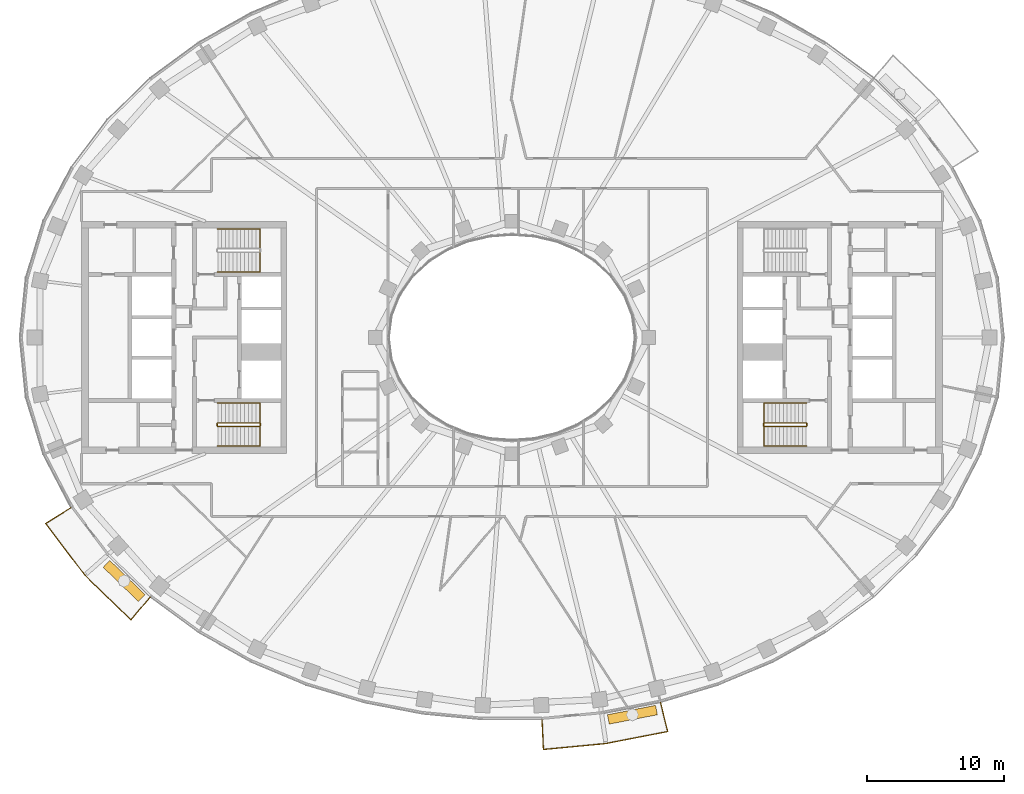
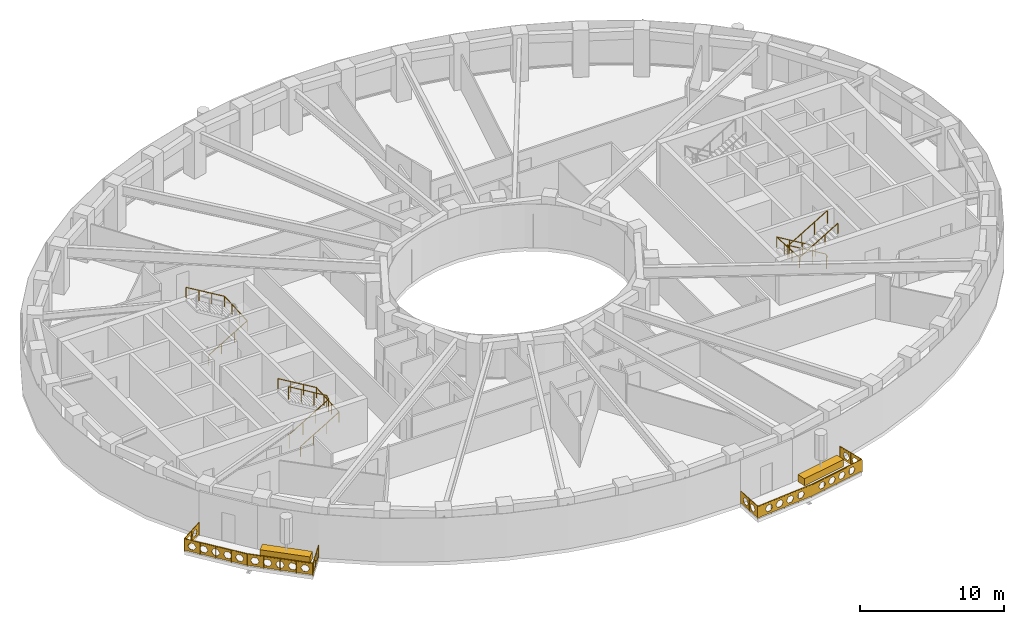
# One storey, part 14 of 16: 7 railings, 2 coverings.
"""IFC4 building model written with IfcOpenShell, lengths in metres."""

from ifc_helpers import new_model, si_unit, direction, frame, origin, origin_2d, place, context, subcontext, project, spatial, polyline, rectangle, outline, extrude, material, type_object, element, save


model = new_model("IFC4")

# Units and contexts
model_context = context("Model", 3, precision=1e-05, world=origin(), true_north=direction((0.0, 1.0)))
body_context = subcontext(model_context, "Body", "Model", "MODEL_VIEW")
ifc_project = project(units=[si_unit("LENGTHUNIT", "METRE"), si_unit("AREAUNIT", "SQUARE_METRE"), si_unit("VOLUMEUNIT", "CUBIC_METRE"), si_unit("PLANEANGLEUNIT", "RADIAN"), si_unit("MASSUNIT", "GRAM", prefix="KILO")], contexts=[model_context])

# Site, building, storey
site_placement = place(None, origin())
site = spatial("IfcSite", under=ifc_project, at=site_placement, CompositionType="ELEMENT")
building_placement = place(site_placement, origin())
building = spatial("IfcBuilding", under=site, at=building_placement, Name="Noorbagh Ring Tower", CompositionType="ELEMENT")
storey_placement = place(building_placement, frame((0.0, 0.0, 257.5)))
storey = spatial("IfcBuildingStorey", under=building, at=storey_placement, Name="L54", CompositionType="ELEMENT", Elevation=257.5)

# Railings
ifc_material_1 = material(Name="Stainless steel", Category="steel")
railing_type_1 = type_object("IfcRailingType", Name="CORE-STAIR-GUARD", PredefinedType="GUARDRAIL", material=ifc_material_1)
railing_1_placement = place(storey_placement, frame((-21.580078125, -6.449951171875, 0.0)))
element("IfcRailing", 1, at=railing_1_placement, inside=storey, type_object=railing_type_1, Name="L54 ST2 stair guard", PredefinedType="GUARDRAIL", context=body_context, shape_type="SweptSolid", body=[
    extrude(rectangle(XDim=0.048095703125, YDim=0.048095703125, at=origin_2d()), frame((0.0, 0.0, 1.076171875), z_axis=(0.0, 1.0, 0.0), x_axis=(-1.0, 0.0, 0.0)), (0.0, 0.0, 1.0), 0.14990234375),
    extrude(rectangle(XDim=0.048095703125, YDim=0.048095703125, at=origin_2d()), frame((0.0, 0.14990234375, 1.076171875), z_axis=(0.188775798145, -0.754182335027, 0.628945707965), x_axis=(0.970072785993, 0.242814311512, 0.0)), (0.0, 0.0, 1.0), 0.26513671875),
    extrude(rectangle(XDim=0.048095703125, YDim=0.048095703125, at=origin_2d()), frame((0.050048828125, -0.050048828125, 1.24267578125), z_axis=(0.859308565015, 0.0, 0.511457515432), x_axis=(0.0, 1.0, 0.0)), (0.0, 0.0, 1.0), 3.58447265625),
    extrude(rectangle(XDim=0.048095703125, YDim=0.048095703125, at=origin_2d()), frame((3.130126953125, -0.050048828125, 3.076171875), z_axis=(0.707106781187, 0.707106781187, 0.0), x_axis=(-0.707106781187, 0.707106781187, 0.0)), (0.0, 0.0, 1.0), 0.07080078125),
    extrude(rectangle(XDim=0.048095703125, YDim=0.048095703125, at=origin_2d()), frame((3.18017578125, 0.0, 3.076171875), z_axis=(0.0, 1.0, 0.0), x_axis=(-1.0, 0.0, 0.0)), (0.0, 0.0, 1.0), 0.14990234375),
    extrude(rectangle(XDim=0.048095703125, YDim=0.048095703125, at=origin_2d()), frame((3.18017578125, 0.14990234375, 3.076171875), z_axis=(-0.27628659633, 0.27628659633, 0.920506074601), x_axis=(-0.707106781187, -0.707106781187, 0.0)), (0.0, 0.0, 1.0), 0.18115234375),
    extrude(rectangle(XDim=0.048095703125, YDim=0.048095703125, at=origin_2d()), frame((3.130126953125, 0.199951171875, 3.24267578125), z_axis=(-0.859308565015, 0.0, 0.511457515432), x_axis=(0.0, -1.0, 0.0)), (0.0, 0.0, 1.0), 3.58447265625),
    extrude(rectangle(XDim=0.0419921875, YDim=0.0419921875, at=origin_2d()), origin(), (0.0, 0.0, 1.0), 1.052001953125),
    extrude(rectangle(XDim=0.0419921875, YDim=0.0419921875, at=origin_2d()), frame((1.07666015625, -0.050048828125, 0.77783203125)), (0.0, 0.0, 1.0), 1.052001953125),
    extrude(rectangle(XDim=0.0419921875, YDim=0.0419921875, at=origin_2d()), frame((2.103515625, -0.050048828125, 1.388916015625)), (0.0, 0.0, 1.0), 1.052001953125),
    extrude(rectangle(XDim=0.0419921875, YDim=0.0419921875, at=origin_2d()), frame((3.130126953125, -0.050048828125, 2.0)), (0.0, 0.0, 1.0), 1.052001953125),
    extrude(rectangle(XDim=0.0419921875, YDim=0.0419921875, at=origin_2d()), frame((3.130126953125, 0.199951171875, 2.166748046875)), (0.0, 0.0, 1.0), 1.052001953125),
    extrude(rectangle(XDim=0.0419921875, YDim=0.0419921875, at=origin_2d()), frame((2.103515625, 0.199951171875, 2.77783203125)), (0.0, 0.0, 1.0), 1.052001953125),
    extrude(rectangle(XDim=0.0419921875, YDim=0.0419921875, at=origin_2d()), frame((1.07666015625, 0.199951171875, 3.388916015625)), (0.0, 0.0, 1.0), 1.052001953125),
    extrude(rectangle(XDim=0.0419921875, YDim=0.0419921875, at=origin_2d()), frame((0.050048828125, 0.199951171875, 4.0)), (0.0, 0.0, 1.0), 1.052001953125),
])
railing_2_placement = place(storey_placement, frame((21.580078125, -6.300048828125, 0.0)))
element("IfcRailing", 2, at=railing_2_placement, inside=storey, type_object=railing_type_1, Name="L54 ST4 stair guard", PredefinedType="GUARDRAIL", context=body_context, shape_type="SweptSolid", body=[
    extrude(rectangle(XDim=0.048095703125, YDim=0.048095703125, at=origin_2d()), frame((0.0, 0.0, 1.076171875), z_axis=(0.0, -1.0, 0.0), x_axis=(1.0, 0.0, 0.0)), (0.0, 0.0, 1.0), 0.14990234375),
    extrude(rectangle(XDim=0.048095703125, YDim=0.048095703125, at=origin_2d()), frame((0.0, -0.14990234375, 1.076171875), z_axis=(-0.188775798145, 0.754182335027, 0.628945707965), x_axis=(-0.970072785993, -0.242814311512, 0.0)), (0.0, 0.0, 1.0), 0.26513671875),
    extrude(rectangle(XDim=0.048095703125, YDim=0.048095703125, at=origin_2d()), frame((-0.050048828125, 0.050048828125, 1.24267578125), z_axis=(-0.859308565015, 0.0, 0.511457515432), x_axis=(0.0, -1.0, 0.0)), (0.0, 0.0, 1.0), 3.58447265625),
    extrude(rectangle(XDim=0.048095703125, YDim=0.048095703125, at=origin_2d()), frame((-3.130126953125, 0.050048828125, 3.076171875), z_axis=(-0.707106781187, -0.707106781187, 0.0), x_axis=(0.707106781187, -0.707106781187, 0.0)), (0.0, 0.0, 1.0), 0.07080078125),
    extrude(rectangle(XDim=0.048095703125, YDim=0.048095703125, at=origin_2d()), frame((-3.18017578125, 0.0, 3.076171875), z_axis=(0.0, -1.0, 0.0), x_axis=(1.0, 0.0, 0.0)), (0.0, 0.0, 1.0), 0.14990234375),
    extrude(rectangle(XDim=0.048095703125, YDim=0.048095703125, at=origin_2d()), frame((-3.18017578125, -0.14990234375, 3.076171875), z_axis=(0.27628659633, -0.27628659633, 0.920506074601), x_axis=(0.707106781187, 0.707106781187, 0.0)), (0.0, 0.0, 1.0), 0.18115234375),
    extrude(rectangle(XDim=0.048095703125, YDim=0.048095703125, at=origin_2d()), frame((-3.130126953125, -0.199951171875, 3.24267578125), z_axis=(0.859308565015, 0.0, 0.511457515432), x_axis=(0.0, 1.0, 0.0)), (0.0, 0.0, 1.0), 3.58447265625),
    extrude(rectangle(XDim=0.0419921875, YDim=0.0419921875, at=origin_2d()), origin(), (0.0, 0.0, 1.0), 1.052001953125),
    extrude(rectangle(XDim=0.0419921875, YDim=0.0419921875, at=origin_2d()), frame((-1.07666015625, 0.050048828125, 0.77783203125)), (0.0, 0.0, 1.0), 1.052001953125),
    extrude(rectangle(XDim=0.0419921875, YDim=0.0419921875, at=origin_2d()), frame((-2.103515625, 0.050048828125, 1.388916015625)), (0.0, 0.0, 1.0), 1.052001953125),
    extrude(rectangle(XDim=0.0419921875, YDim=0.0419921875, at=origin_2d()), frame((-3.130126953125, 0.050048828125, 2.0)), (0.0, 0.0, 1.0), 1.052001953125),
    extrude(rectangle(XDim=0.0419921875, YDim=0.0419921875, at=origin_2d()), frame((-3.130126953125, -0.199951171875, 2.166748046875)), (0.0, 0.0, 1.0), 1.052001953125),
    extrude(rectangle(XDim=0.0419921875, YDim=0.0419921875, at=origin_2d()), frame((-2.103515625, -0.199951171875, 2.77783203125)), (0.0, 0.0, 1.0), 1.052001953125),
    extrude(rectangle(XDim=0.0419921875, YDim=0.0419921875, at=origin_2d()), frame((-1.07666015625, -0.199951171875, 3.388916015625)), (0.0, 0.0, 1.0), 1.052001953125),
    extrude(rectangle(XDim=0.0419921875, YDim=0.0419921875, at=origin_2d()), frame((-0.050048828125, -0.199951171875, 4.0)), (0.0, 0.0, 1.0), 1.052001953125),
])
ifc_material_2 = material(Name="Stainless steel", Category="steel")
railing_type_2 = type_object("IfcRailingType", Name="CORE-STAIR-HANDRAIL", PredefinedType="HANDRAIL", material=ifc_material_2)
railing_3_placement = place(storey_placement, frame((-21.530029296875, 4.800048828125, 0.166748046875)))
element("IfcRailing", 3, at=railing_3_placement, inside=storey, type_object=railing_type_2, Name="L54 ST1 stair handrail", PredefinedType="HANDRAIL", context=body_context, shape_type="SweptSolid", body=[
    extrude(rectangle(XDim=0.048095703125, YDim=0.048095703125, at=origin_2d()), frame((0.0, 0.0, 0.8759765625), z_axis=(0.859308565015, 0.0, 0.511457515432), x_axis=(0.0, 1.0, 0.0)), (0.0, 0.0, 1.0), 3.58447265625),
    extrude(rectangle(XDim=0.048095703125, YDim=0.048095703125, at=origin_2d()), frame((3.080078125, 0.0, 2.708984375), z_axis=(0.0, 0.998601747152, 0.052863509014), x_axis=(-1.0, 0.0, 0.0)), (0.0, 0.0, 1.0), 3.154296875),
    extrude(rectangle(XDim=0.048095703125, YDim=0.048095703125, at=origin_2d()), frame((3.080078125, 3.14990234375, 2.8759765625), z_axis=(-0.859308565015, 0.0, 0.511457515432), x_axis=(0.0, -1.0, 0.0)), (0.0, 0.0, 1.0), 3.58447265625),
    extrude(rectangle(XDim=0.0419921875, YDim=0.0419921875, at=origin_2d()), origin(), (0.0, 0.0, 1.0), 0.851806640625),
    extrude(rectangle(XDim=0.0419921875, YDim=0.0419921875, at=origin_2d()), frame((1.026611328125, 0.0, 0.611083984375)), (0.0, 0.0, 1.0), 0.851806640625),
    extrude(rectangle(XDim=0.0419921875, YDim=0.0419921875, at=origin_2d()), frame((2.053466796875, 0.0, 1.22216796875)), (0.0, 0.0, 1.0), 0.851806640625),
    extrude(rectangle(XDim=0.0419921875, YDim=0.0419921875, at=origin_2d()), frame((3.080078125, 0.0, 1.833251953125)), (0.0, 0.0, 1.0), 0.851806640625),
    extrude(rectangle(XDim=0.0419921875, YDim=0.0419921875, at=origin_2d()), frame((3.080078125, 1.050048828125, 1.888916015625)), (0.0, 0.0, 1.0), 0.851806640625),
    extrude(rectangle(XDim=0.0419921875, YDim=0.0419921875, at=origin_2d()), frame((3.080078125, 2.099853515625, 1.9443359375)), (0.0, 0.0, 1.0), 0.851806640625),
    extrude(rectangle(XDim=0.0419921875, YDim=0.0419921875, at=origin_2d()), frame((3.080078125, 3.14990234375, 2.0)), (0.0, 0.0, 1.0), 0.851806640625),
    extrude(rectangle(XDim=0.0419921875, YDim=0.0419921875, at=origin_2d()), frame((2.053466796875, 3.14990234375, 2.611083984375)), (0.0, 0.0, 1.0), 0.851806640625),
    extrude(rectangle(XDim=0.0419921875, YDim=0.0419921875, at=origin_2d()), frame((1.026611328125, 3.14990234375, 3.22216796875)), (0.0, 0.0, 1.0), 0.851806640625),
    extrude(rectangle(XDim=0.0419921875, YDim=0.0419921875, at=origin_2d()), frame((0.0, 3.14990234375, 3.833251953125)), (0.0, 0.0, 1.0), 0.851806640625),
])
railing_4_placement = place(storey_placement, frame((-21.530029296875, -7.949951171875, 0.166748046875)))
element("IfcRailing", 4, at=railing_4_placement, inside=storey, type_object=railing_type_2, Name="L54 ST2 stair handrail", PredefinedType="HANDRAIL", context=body_context, shape_type="SweptSolid", body=[
    extrude(rectangle(XDim=0.048095703125, YDim=0.048095703125, at=origin_2d()), frame((0.0, 0.0, 0.8759765625), z_axis=(0.859308565015, 0.0, 0.511457515432), x_axis=(0.0, 1.0, 0.0)), (0.0, 0.0, 1.0), 3.58447265625),
    extrude(rectangle(XDim=0.048095703125, YDim=0.048095703125, at=origin_2d()), frame((3.080078125, 0.0, 2.708984375), z_axis=(0.0, 0.998601747152, 0.052863509014), x_axis=(-1.0, 0.0, 0.0)), (0.0, 0.0, 1.0), 3.154296875),
    extrude(rectangle(XDim=0.048095703125, YDim=0.048095703125, at=origin_2d()), frame((3.080078125, 3.14990234375, 2.8759765625), z_axis=(-0.859308565015, 0.0, 0.511457515432), x_axis=(0.0, -1.0, 0.0)), (0.0, 0.0, 1.0), 3.58447265625),
    extrude(rectangle(XDim=0.0419921875, YDim=0.0419921875, at=origin_2d()), origin(), (0.0, 0.0, 1.0), 0.851806640625),
    extrude(rectangle(XDim=0.0419921875, YDim=0.0419921875, at=origin_2d()), frame((1.026611328125, 0.0, 0.611083984375)), (0.0, 0.0, 1.0), 0.851806640625),
    extrude(rectangle(XDim=0.0419921875, YDim=0.0419921875, at=origin_2d()), frame((2.053466796875, 0.0, 1.22216796875)), (0.0, 0.0, 1.0), 0.851806640625),
    extrude(rectangle(XDim=0.0419921875, YDim=0.0419921875, at=origin_2d()), frame((3.080078125, 0.0, 1.833251953125)), (0.0, 0.0, 1.0), 0.851806640625),
    extrude(rectangle(XDim=0.0419921875, YDim=0.0419921875, at=origin_2d()), frame((3.080078125, 1.050048828125, 1.888916015625)), (0.0, 0.0, 1.0), 0.851806640625),
    extrude(rectangle(XDim=0.0419921875, YDim=0.0419921875, at=origin_2d()), frame((3.080078125, 2.099853515625, 1.9443359375)), (0.0, 0.0, 1.0), 0.851806640625),
    extrude(rectangle(XDim=0.0419921875, YDim=0.0419921875, at=origin_2d()), frame((3.080078125, 3.14990234375, 2.0)), (0.0, 0.0, 1.0), 0.851806640625),
    extrude(rectangle(XDim=0.0419921875, YDim=0.0419921875, at=origin_2d()), frame((2.053466796875, 3.14990234375, 2.611083984375)), (0.0, 0.0, 1.0), 0.851806640625),
    extrude(rectangle(XDim=0.0419921875, YDim=0.0419921875, at=origin_2d()), frame((1.026611328125, 3.14990234375, 3.22216796875)), (0.0, 0.0, 1.0), 0.851806640625),
    extrude(rectangle(XDim=0.0419921875, YDim=0.0419921875, at=origin_2d()), frame((0.0, 3.14990234375, 3.833251953125)), (0.0, 0.0, 1.0), 0.851806640625),
])
railing_5_placement = place(storey_placement, frame((21.530029296875, -4.800048828125, 0.166748046875)))
element("IfcRailing", 5, at=railing_5_placement, inside=storey, type_object=railing_type_2, Name="L54 ST4 stair handrail", PredefinedType="HANDRAIL", context=body_context, shape_type="SweptSolid", body=[
    extrude(rectangle(XDim=0.048095703125, YDim=0.048095703125, at=origin_2d()), frame((0.0, 0.0, 0.8759765625), z_axis=(-0.859308565015, 0.0, 0.511457515432), x_axis=(0.0, -1.0, 0.0)), (0.0, 0.0, 1.0), 3.58447265625),
    extrude(rectangle(XDim=0.048095703125, YDim=0.048095703125, at=origin_2d()), frame((-3.080078125, 0.0, 2.708984375), z_axis=(0.0, -0.998601747152, 0.052863509014), x_axis=(1.0, 0.0, 0.0)), (0.0, 0.0, 1.0), 3.154296875),
    extrude(rectangle(XDim=0.048095703125, YDim=0.048095703125, at=origin_2d()), frame((-3.080078125, -3.14990234375, 2.8759765625), z_axis=(0.859308565015, 0.0, 0.511457515432), x_axis=(0.0, 1.0, 0.0)), (0.0, 0.0, 1.0), 3.58447265625),
    extrude(rectangle(XDim=0.0419921875, YDim=0.0419921875, at=origin_2d()), origin(), (0.0, 0.0, 1.0), 0.851806640625),
    extrude(rectangle(XDim=0.0419921875, YDim=0.0419921875, at=origin_2d()), frame((-1.026611328125, 0.0, 0.611083984375)), (0.0, 0.0, 1.0), 0.851806640625),
    extrude(rectangle(XDim=0.0419921875, YDim=0.0419921875, at=origin_2d()), frame((-2.053466796875, 0.0, 1.22216796875)), (0.0, 0.0, 1.0), 0.851806640625),
    extrude(rectangle(XDim=0.0419921875, YDim=0.0419921875, at=origin_2d()), frame((-3.080078125, 0.0, 1.833251953125)), (0.0, 0.0, 1.0), 0.851806640625),
    extrude(rectangle(XDim=0.0419921875, YDim=0.0419921875, at=origin_2d()), frame((-3.080078125, -1.050048828125, 1.888916015625)), (0.0, 0.0, 1.0), 0.851806640625),
    extrude(rectangle(XDim=0.0419921875, YDim=0.0419921875, at=origin_2d()), frame((-3.080078125, -2.099853515625, 1.9443359375)), (0.0, 0.0, 1.0), 0.851806640625),
    extrude(rectangle(XDim=0.0419921875, YDim=0.0419921875, at=origin_2d()), frame((-3.080078125, -3.14990234375, 2.0)), (0.0, 0.0, 1.0), 0.851806640625),
    extrude(rectangle(XDim=0.0419921875, YDim=0.0419921875, at=origin_2d()), frame((-2.053466796875, -3.14990234375, 2.611083984375)), (0.0, 0.0, 1.0), 0.851806640625),
    extrude(rectangle(XDim=0.0419921875, YDim=0.0419921875, at=origin_2d()), frame((-1.026611328125, -3.14990234375, 3.22216796875)), (0.0, 0.0, 1.0), 0.851806640625),
    extrude(rectangle(XDim=0.0419921875, YDim=0.0419921875, at=origin_2d()), frame((0.0, -3.14990234375, 3.833251953125)), (0.0, 0.0, 1.0), 0.851806640625),
])
ifc_material_3 = material(Name="Steel S275 black powder-coated", Category="steel")
railing_type_3 = type_object("IfcRailingType", Name="ENV-GUARD", PredefinedType="GUARDRAIL", material=ifc_material_3)
railing_6_placement = place(storey_placement, frame((-32.255126953125, -12.434814453125, 0.0)))
element("IfcRailing", 6, at=railing_6_placement, inside=storey, type_object=railing_type_3, Name="Balcony guard BS01", PredefinedType="GUARDRAIL", context=body_context, shape_type="SweptSolid", body=[
    extrude(rectangle(XDim=0.048095703125, YDim=0.048095703125, at=origin_2d()), frame((0.0, 0.0, 1.076171875), z_axis=(-0.844852397829, -0.534999463442, 0.0), x_axis=(0.534999463442, -0.844852397829, 0.0)), (0.0, 0.0, 1.0), 2.207763671875),
    extrude(rectangle(XDim=0.048095703125, YDim=0.048095703125, at=origin_2d()), frame((-1.865234375, -1.18115234375, 1.076171875), z_axis=(0.604001613322, -0.796983093362, 0.0), x_axis=(0.796983093362, 0.604001613322, 0.0)), (0.0, 0.0, 1.0), 4.7353515625),
    extrude(rectangle(XDim=0.048095703125, YDim=0.048095703125, at=origin_2d()), frame((0.994873046875, -4.955078125, 1.076171875), z_axis=(0.717212632946, -0.696854388766, 0.0), x_axis=(0.696854388766, 0.717212632946, 0.0)), (0.0, 0.0, 1.0), 4.700927734375),
    extrude(rectangle(XDim=0.048095703125, YDim=0.048095703125, at=origin_2d()), frame((4.366455078125, -8.23095703125, 1.076171875), z_axis=(0.646413574048, 0.762987215677, 0.0), x_axis=(-0.762987215677, 0.646413574048, 0.0)), (0.0, 0.0, 1.0), 2.205322265625),
    extrude(rectangle(XDim=0.0419921875, YDim=0.0419921875, at=origin_2d()), origin(), (0.0, 0.0, 1.0), 1.052001953125),
    extrude(rectangle(XDim=0.0419921875, YDim=0.0419921875, at=origin_2d()), frame((-0.9326171875, -0.590576171875, 0.0)), (0.0, 0.0, 1.0), 1.052001953125),
    extrude(rectangle(XDim=0.0419921875, YDim=0.0419921875, at=origin_2d()), frame((-1.865234375, -1.18115234375, 0.0)), (0.0, 0.0, 1.0), 1.052001953125),
    extrude(rectangle(XDim=0.0419921875, YDim=0.0419921875, at=origin_2d()), frame((-1.150146484375, -2.12451171875, 0.0)), (0.0, 0.0, 1.0), 1.052001953125),
    extrude(rectangle(XDim=0.0419921875, YDim=0.0419921875, at=origin_2d()), frame((-0.43505859375, -3.068115234375, 0.0)), (0.0, 0.0, 1.0), 1.052001953125),
    extrude(rectangle(XDim=0.0419921875, YDim=0.0419921875, at=origin_2d()), frame((0.27978515625, -4.01171875, 0.0)), (0.0, 0.0, 1.0), 1.052001953125),
    extrude(rectangle(XDim=0.0419921875, YDim=0.0419921875, at=origin_2d()), frame((0.994873046875, -4.955078125, 0.0)), (0.0, 0.0, 1.0), 1.052001953125),
    extrude(rectangle(XDim=0.0419921875, YDim=0.0419921875, at=origin_2d()), frame((1.837890625, -5.77392578125, 0.0)), (0.0, 0.0, 1.0), 1.052001953125),
    extrude(rectangle(XDim=0.0419921875, YDim=0.0419921875, at=origin_2d()), frame((2.6806640625, -6.593017578125, 0.0)), (0.0, 0.0, 1.0), 1.052001953125),
    extrude(rectangle(XDim=0.0419921875, YDim=0.0419921875, at=origin_2d()), frame((3.5234375, -7.412109375, 0.0)), (0.0, 0.0, 1.0), 1.052001953125),
    extrude(rectangle(XDim=0.0419921875, YDim=0.0419921875, at=origin_2d()), frame((4.366455078125, -8.23095703125, 0.0)), (0.0, 0.0, 1.0), 1.052001953125),
    extrude(rectangle(XDim=0.0419921875, YDim=0.0419921875, at=origin_2d()), frame((5.0791015625, -7.3896484375, 0.0)), (0.0, 0.0, 1.0), 1.052001953125),
    extrude(rectangle(XDim=0.0419921875, YDim=0.0419921875, at=origin_2d()), frame((5.7919921875, -6.54833984375, 0.0)), (0.0, 0.0, 1.0), 1.052001953125),
    extrude(outline(polyline([(0.0, 0.10009765625), (2.207763671875, 0.10009765625), (2.207763671875, 1.031982421875), (0.0, 1.031982421875), (0.0, 0.10009765625)]), holes=[polyline([(0.9638671875, 0.56591796875), (0.808837890625, 0.83447265625), (0.498779296875, 0.83447265625), (0.343994140625, 0.56591796875), (0.498779296875, 0.297607421875), (0.808837890625, 0.297607421875), (0.9638671875, 0.56591796875)]), polyline([(1.86376953125, 0.56591796875), (1.708984375, 0.83447265625), (1.39892578125, 0.83447265625), (1.243896484375, 0.56591796875), (1.39892578125, 0.297607421875), (1.708984375, 0.297607421875), (1.86376953125, 0.56591796875)])]), frame((0.00537109375, -0.008544921875, 0.0), z_axis=(-0.534999463442, 0.844852397829, 0.0), x_axis=(-0.844852397829, -0.534999463442, 0.0)), (0.0, 0.0, 1.0), 0.02001953125),
    extrude(outline(polyline([(0.0, 0.10009765625), (4.7353515625, 0.10009765625), (4.7353515625, 1.031982421875), (0.0, 1.031982421875), (0.0, 0.10009765625)]), holes=[polyline([(0.877685546875, 0.56591796875), (0.72265625, 0.83447265625), (0.41259765625, 0.83447265625), (0.257568359375, 0.56591796875), (0.41259765625, 0.297607421875), (0.72265625, 0.297607421875), (0.877685546875, 0.56591796875)]), polyline([(1.777587890625, 0.56591796875), (1.62255859375, 0.83447265625), (1.312744140625, 0.83447265625), (1.15771484375, 0.56591796875), (1.312744140625, 0.297607421875), (1.62255859375, 0.297607421875), (1.777587890625, 0.56591796875)]), polyline([(2.677734375, 0.56591796875), (2.522705078125, 0.83447265625), (2.212646484375, 0.83447265625), (2.0576171875, 0.56591796875), (2.212646484375, 0.297607421875), (2.522705078125, 0.297607421875), (2.677734375, 0.56591796875)]), polyline([(3.57763671875, 0.56591796875), (3.422607421875, 0.83447265625), (3.112548828125, 0.83447265625), (2.95751953125, 0.56591796875), (3.112548828125, 0.297607421875), (3.422607421875, 0.297607421875), (3.57763671875, 0.56591796875)]), polyline([(4.4775390625, 0.56591796875), (4.32275390625, 0.83447265625), (4.0126953125, 0.83447265625), (3.857666015625, 0.56591796875), (4.0126953125, 0.297607421875), (4.32275390625, 0.297607421875), (4.4775390625, 0.56591796875)])]), frame((-1.857177734375, -1.175048828125, 0.0), z_axis=(-0.796983093362, -0.604001613322, 0.0), x_axis=(0.604001613322, -0.796983093362, 0.0)), (0.0, 0.0, 1.0), 0.02001953125),
    extrude(outline(polyline([(0.0, 0.10009765625), (4.700927734375, 0.10009765625), (4.700927734375, 1.031982421875), (0.0, 1.031982421875), (0.0, 0.10009765625)]), holes=[polyline([(0.860595703125, 0.56591796875), (0.70556640625, 0.83447265625), (0.3955078125, 0.83447265625), (0.240478515625, 0.56591796875), (0.3955078125, 0.297607421875), (0.70556640625, 0.297607421875), (0.860595703125, 0.56591796875)]), polyline([(1.760498046875, 0.56591796875), (1.60546875, 0.83447265625), (1.29541015625, 0.83447265625), (1.140380859375, 0.56591796875), (1.29541015625, 0.297607421875), (1.60546875, 0.297607421875), (1.760498046875, 0.56591796875)]), polyline([(2.660400390625, 0.56591796875), (2.50537109375, 0.83447265625), (2.195556640625, 0.83447265625), (2.04052734375, 0.56591796875), (2.195556640625, 0.297607421875), (2.50537109375, 0.297607421875), (2.660400390625, 0.56591796875)]), polyline([(3.560546875, 0.56591796875), (3.405517578125, 0.83447265625), (3.095458984375, 0.83447265625), (2.9404296875, 0.56591796875), (3.095458984375, 0.297607421875), (3.405517578125, 0.297607421875), (3.560546875, 0.56591796875)]), polyline([(4.46044921875, 0.56591796875), (4.305419921875, 0.83447265625), (3.995361328125, 0.83447265625), (3.840576171875, 0.56591796875), (3.995361328125, 0.297607421875), (4.305419921875, 0.297607421875), (4.46044921875, 0.56591796875)])]), frame((1.001953125, -4.947998046875, 0.0), z_axis=(-0.696854388766, -0.717212632946, 0.0), x_axis=(0.717212632946, -0.696854388766, 0.0)), (0.0, 0.0, 1.0), 0.02001953125),
    extrude(outline(polyline([(0.0, 0.10009765625), (2.205322265625, 0.10009765625), (2.205322265625, 1.031982421875), (0.0, 1.031982421875), (0.0, 0.10009765625)]), holes=[polyline([(0.962646484375, 0.56591796875), (0.8076171875, 0.83447265625), (0.49755859375, 0.83447265625), (0.342529296875, 0.56591796875), (0.49755859375, 0.297607421875), (0.8076171875, 0.297607421875), (0.962646484375, 0.56591796875)]), polyline([(1.862548828125, 0.56591796875), (1.707763671875, 0.83447265625), (1.397705078125, 0.83447265625), (1.24267578125, 0.56591796875), (1.397705078125, 0.297607421875), (1.707763671875, 0.297607421875), (1.862548828125, 0.56591796875)])]), frame((4.35888671875, -8.224609375, 0.0), z_axis=(0.762987215677, -0.646413574048, 0.0), x_axis=(0.646413574048, 0.762987215677, 0.0)), (0.0, 0.0, 1.0), 0.02001953125),
])
railing_7_placement = place(storey_placement, frame((2.193115234375, -27.947998046875, 0.0)))
element("IfcRailing", 7, at=railing_7_placement, inside=storey, type_object=railing_type_3, Name="Balcony guard BS04", PredefinedType="GUARDRAIL", context=body_context, shape_type="SweptSolid", body=[
    extrude(rectangle(XDim=0.048095703125, YDim=0.048095703125, at=origin_2d()), frame((0.0, 0.0, 1.076171875), z_axis=(0.047554616162, -0.998868639252, 0.0), x_axis=(0.998868639252, 0.047554616162, 0.0)), (0.0, 0.0, 1.0), 2.202392578125),
    extrude(rectangle(XDim=0.048095703125, YDim=0.048095703125, at=origin_2d()), frame((0.104736328125, -2.199951171875, 1.076171875), z_axis=(0.995477555764, 0.094997031379, 0.0), x_axis=(-0.094997031379, 0.995477555764, 0.0)), (0.0, 0.0, 1.0), 4.59765625),
    extrude(rectangle(XDim=0.048095703125, YDim=0.048095703125, at=origin_2d()), frame((4.681640625, -1.76318359375, 1.076171875), z_axis=(0.981625049064, 0.1908199755, 0.0), x_axis=(-0.1908199755, 0.981625049064, 0.0)), (0.0, 0.0, 1.0), 4.603271484375),
    extrude(rectangle(XDim=0.048095703125, YDim=0.048095703125, at=origin_2d()), frame((9.200439453125, -0.884765625, 1.076171875), z_axis=(-0.239848558412, 0.970810315679, 0.0), x_axis=(-0.970810315679, -0.239848558412, 0.0)), (0.0, 0.0, 1.0), 2.20263671875),
    extrude(rectangle(XDim=0.0419921875, YDim=0.0419921875, at=origin_2d()), origin(), (0.0, 0.0, 1.0), 1.052001953125),
    extrude(rectangle(XDim=0.0419921875, YDim=0.0419921875, at=origin_2d()), frame((0.05224609375, -1.10009765625, 0.0)), (0.0, 0.0, 1.0), 1.052001953125),
    extrude(rectangle(XDim=0.0419921875, YDim=0.0419921875, at=origin_2d()), frame((0.104736328125, -2.199951171875, 0.0)), (0.0, 0.0, 1.0), 1.052001953125),
    extrude(rectangle(XDim=0.0419921875, YDim=0.0419921875, at=origin_2d()), frame((1.2490234375, -2.0908203125, 0.0)), (0.0, 0.0, 1.0), 1.052001953125),
    extrude(rectangle(XDim=0.0419921875, YDim=0.0419921875, at=origin_2d()), frame((2.39306640625, -1.9814453125, 0.0)), (0.0, 0.0, 1.0), 1.052001953125),
    extrude(rectangle(XDim=0.0419921875, YDim=0.0419921875, at=origin_2d()), frame((3.537353515625, -1.872314453125, 0.0)), (0.0, 0.0, 1.0), 1.052001953125),
    extrude(rectangle(XDim=0.0419921875, YDim=0.0419921875, at=origin_2d()), frame((4.681640625, -1.76318359375, 0.0)), (0.0, 0.0, 1.0), 1.052001953125),
    extrude(rectangle(XDim=0.0419921875, YDim=0.0419921875, at=origin_2d()), frame((5.811279296875, -1.54345703125, 0.0)), (0.0, 0.0, 1.0), 1.052001953125),
    extrude(rectangle(XDim=0.0419921875, YDim=0.0419921875, at=origin_2d()), frame((6.94091796875, -1.323974609375, 0.0)), (0.0, 0.0, 1.0), 1.052001953125),
    extrude(rectangle(XDim=0.0419921875, YDim=0.0419921875, at=origin_2d()), frame((8.07080078125, -1.1044921875, 0.0)), (0.0, 0.0, 1.0), 1.052001953125),
    extrude(rectangle(XDim=0.0419921875, YDim=0.0419921875, at=origin_2d()), frame((9.200439453125, -0.884765625, 0.0)), (0.0, 0.0, 1.0), 1.052001953125),
    extrude(rectangle(XDim=0.0419921875, YDim=0.0419921875, at=origin_2d()), frame((8.936279296875, 0.1845703125, 0.0)), (0.0, 0.0, 1.0), 1.052001953125),
    extrude(rectangle(XDim=0.0419921875, YDim=0.0419921875, at=origin_2d()), frame((8.672119140625, 1.253662109375, 0.0)), (0.0, 0.0, 1.0), 1.052001953125),
    extrude(outline(polyline([(0.0, 0.10009765625), (2.202392578125, 0.10009765625), (2.202392578125, 1.031982421875), (0.0, 1.031982421875), (0.0, 0.10009765625)]), holes=[polyline([(0.961181640625, 0.56591796875), (0.80615234375, 0.83447265625), (0.496337890625, 0.83447265625), (0.34130859375, 0.56591796875), (0.496337890625, 0.297607421875), (0.80615234375, 0.297607421875), (0.961181640625, 0.56591796875)]), polyline([(1.861328125, 0.56591796875), (1.706298828125, 0.83447265625), (1.396240234375, 0.83447265625), (1.2412109375, 0.56591796875), (1.396240234375, 0.297607421875), (1.706298828125, 0.297607421875), (1.861328125, 0.56591796875)])]), frame((0.010009765625, 0.00048828125, 0.0), z_axis=(-0.998868639252, -0.047554616162, 0.0), x_axis=(0.047554616162, -0.998868639252, 0.0)), (0.0, 0.0, 1.0), 0.02001953125),
    extrude(outline(polyline([(0.0, 0.10009765625), (4.59765625, 0.10009765625), (4.59765625, 1.031982421875), (0.0, 1.031982421875), (0.0, 0.10009765625)]), holes=[polyline([(1.2587890625, 0.56591796875), (1.103759765625, 0.83447265625), (0.7939453125, 0.83447265625), (0.638916015625, 0.56591796875), (0.7939453125, 0.297607421875), (1.103759765625, 0.297607421875), (1.2587890625, 0.56591796875)]), polyline([(2.158935546875, 0.56591796875), (2.00390625, 0.83447265625), (1.69384765625, 0.83447265625), (1.538818359375, 0.56591796875), (1.69384765625, 0.297607421875), (2.00390625, 0.297607421875), (2.158935546875, 0.56591796875)]), polyline([(3.058837890625, 0.56591796875), (2.90380859375, 0.83447265625), (2.59375, 0.83447265625), (2.43896484375, 0.56591796875), (2.59375, 0.297607421875), (2.90380859375, 0.297607421875), (3.058837890625, 0.56591796875)]), polyline([(3.958740234375, 0.56591796875), (3.803955078125, 0.83447265625), (3.493896484375, 0.83447265625), (3.3388671875, 0.56591796875), (3.493896484375, 0.297607421875), (3.803955078125, 0.297607421875), (3.958740234375, 0.56591796875)])]), frame((0.103759765625, -2.18994140625, 0.0), z_axis=(0.094997031379, -0.995477555764, 0.0), x_axis=(0.995477555764, 0.094997031379, 0.0)), (0.0, 0.0, 1.0), 0.02001953125),
    extrude(outline(polyline([(0.0, 0.10009765625), (4.603271484375, 0.10009765625), (4.603271484375, 1.031982421875), (0.0, 1.031982421875), (0.0, 0.10009765625)]), holes=[polyline([(1.26171875, 0.56591796875), (1.106689453125, 0.83447265625), (0.796630859375, 0.83447265625), (0.6416015625, 0.56591796875), (0.796630859375, 0.297607421875), (1.106689453125, 0.297607421875), (1.26171875, 0.56591796875)]), polyline([(2.16162109375, 0.56591796875), (2.006591796875, 0.83447265625), (1.69677734375, 0.83447265625), (1.541748046875, 0.56591796875), (1.69677734375, 0.297607421875), (2.006591796875, 0.297607421875), (2.16162109375, 0.56591796875)]), polyline([(3.061767578125, 0.56591796875), (2.90673828125, 0.83447265625), (2.5966796875, 0.83447265625), (2.441650390625, 0.56591796875), (2.5966796875, 0.297607421875), (2.90673828125, 0.297607421875), (3.061767578125, 0.56591796875)]), polyline([(3.961669921875, 0.56591796875), (3.806640625, 0.83447265625), (3.49658203125, 0.83447265625), (3.341796875, 0.56591796875), (3.49658203125, 0.297607421875), (3.806640625, 0.297607421875), (3.961669921875, 0.56591796875)])]), frame((4.6796875, -1.75341796875, 0.0), z_axis=(0.1908199755, -0.981625049064, 0.0), x_axis=(0.981625049064, 0.1908199755, 0.0)), (0.0, 0.0, 1.0), 0.02001953125),
    extrude(outline(polyline([(0.0, 0.10009765625), (2.20263671875, 0.10009765625), (2.20263671875, 1.031982421875), (0.0, 1.031982421875), (0.0, 0.10009765625)]), holes=[polyline([(0.96142578125, 0.56591796875), (0.806396484375, 0.83447265625), (0.496337890625, 0.83447265625), (0.34130859375, 0.56591796875), (0.496337890625, 0.297607421875), (0.806396484375, 0.297607421875), (0.96142578125, 0.56591796875)]), polyline([(1.861328125, 0.56591796875), (1.706298828125, 0.83447265625), (1.396240234375, 0.83447265625), (1.241455078125, 0.56591796875), (1.396240234375, 0.297607421875), (1.706298828125, 0.297607421875), (1.861328125, 0.56591796875)])]), frame((9.190673828125, -0.88720703125, 0.0), z_axis=(0.970810315679, 0.239848558412, 0.0), x_axis=(-0.239848558412, 0.970810315679, 0.0)), (0.0, 0.0, 1.0), 0.02001953125),
])

# Coverings
ifc_material_4 = material(Name="Concrete C30/37 planter with soil", Category="concrete")
covering_type = type_object("IfcCoveringType", Name="ENV-PLANTER", PredefinedType="CLADDING", material=ifc_material_4)
covering_1_placement = place(storey_placement, frame((-28.3837890625, -17.814208984375, 0.0), z_axis=(0.0, 0.0, 1.0), x_axis=(0.717224548362, -0.696842125038, 0.0)))
element("IfcCovering", 8, at=covering_1_placement, inside=storey, type_object=covering_type, Name="PLANTER BS01", ObjectType="PLANTER", PredefinedType="CLADDING", context=body_context, shape_type="SweptSolid", body=[
    extrude(rectangle(XDim=3.584228515625, YDim=0.699951171875, at=origin_2d()), origin(), (0.0, 0.0, 1.0), 0.60009765625),
])
covering_2_placement = place(storey_placement, frame((8.807861328125, -27.603515625, 0.0), z_axis=(0.0, 0.0, 1.0), x_axis=(0.981624952922, 0.190820470077, 0.0)))
element("IfcCovering", 9, at=covering_2_placement, inside=storey, type_object=covering_type, Name="PLANTER BS04", ObjectType="PLANTER", PredefinedType="CLADDING", context=body_context, shape_type="SweptSolid", body=[
    extrude(rectangle(XDim=3.586181640625, YDim=0.699951171875, at=origin_2d()), origin(), (0.0, 0.0, 1.0), 0.60009765625),
])

save(model, "model.ifc")
